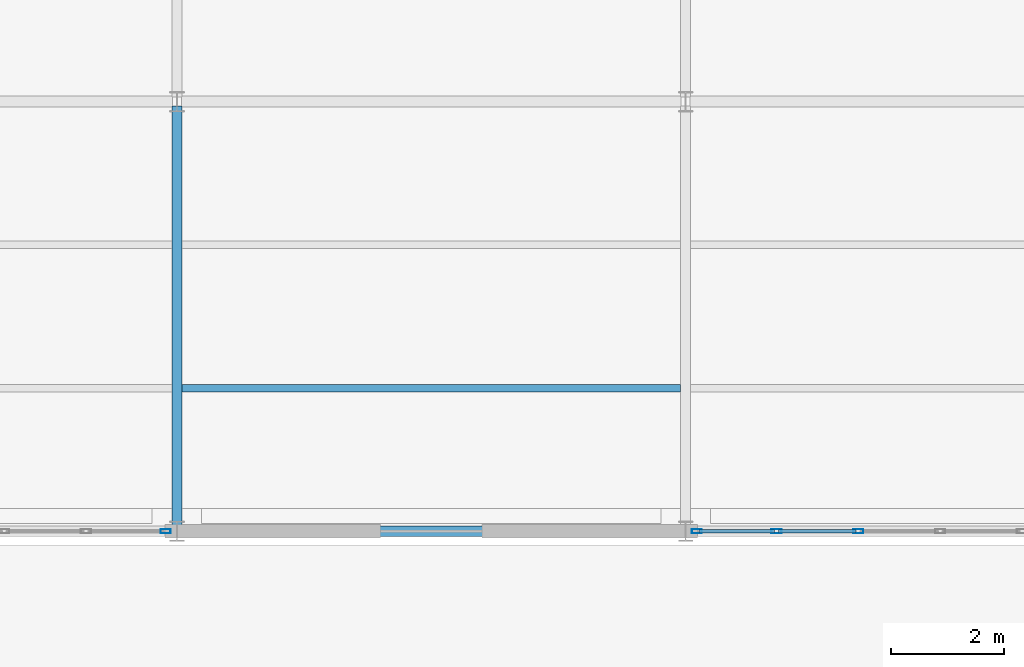
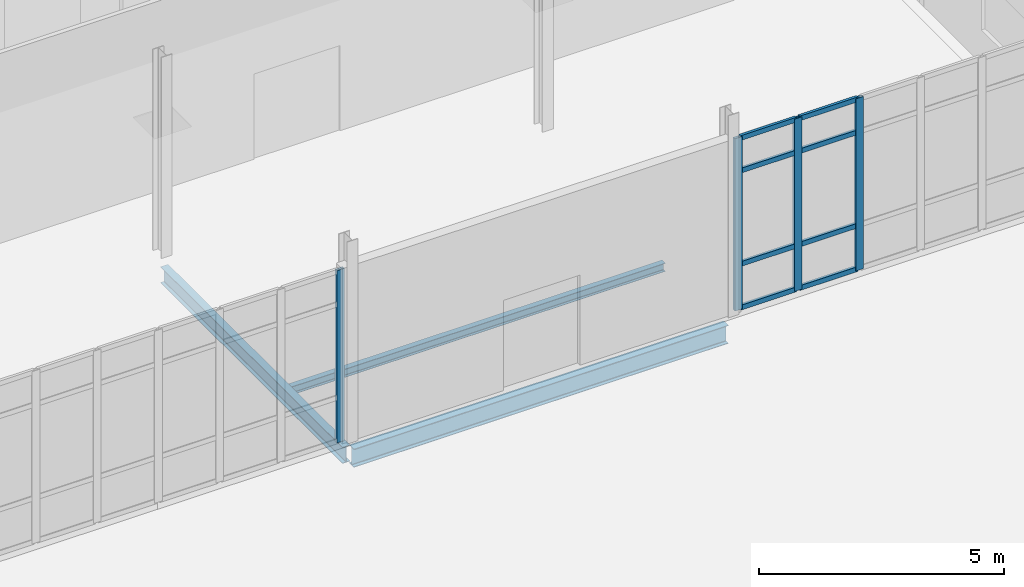
# One storey, part 80 of 161: 12 members, 3 beams, 2 elements without a shape of their own.
"""IFC4 building model written with IfcOpenShell, lengths in metres."""

import ifcopenshell
import ifcopenshell.guid

model = None  # the IFC model being written
_history = None  # IfcOwnerHistory: only IFC2X3 demands one
_inside = {}  # id of a spatial element -> (the spatial element, [elements in it])
_under = {}  # id of a project, library or spatial element -> (it, [spatial elements below it])
_declared = {}  # id of a project -> (the project, [libraries it declares])
_typed = {}  # id of a type object -> (the type object, [elements of that type])
_made_of = {}  # id of a material, layer set ... -> (it, [elements and type objects made of it])


def new_model(schema):
    """Start an empty IFC model of exactly this schema.

    Asked for "IFC4X3", IfcOpenShell would pick the latest addendum, in which some entities
    have other attributes; the version numbers below select the first issue.
    IFC2X3 requires an IfcOwnerHistory on every rooted entity: one is made here for all.
    """
    global model, _history
    if schema == "IFC4X3":
        model = ifcopenshell.file(schema_version=(4, 3, 0, 0))
    else:
        model = ifcopenshell.file(schema=schema)
    _inside.clear()
    _under.clear()
    _declared.clear()
    _typed.clear()
    _made_of.clear()
    _history = None
    if model.schema == "IFC2X3":
        org = make("IfcOrganization", Name="unknown")
        user = make(
            "IfcPersonAndOrganization",
            ThePerson=make("IfcPerson", FamilyName="unknown"),
            TheOrganization=org,
        )
        app = make(
            "IfcApplication",
            ApplicationDeveloper=org,
            Version="unknown",
            ApplicationFullName="unknown",
            ApplicationIdentifier="unknown",
        )
        _history = make(
            "IfcOwnerHistory",
            OwningUser=user,
            OwningApplication=app,
            ChangeAction="ADDED",
            CreationDate=0,
        )
    return model


def make(cls, **values):
    """One entity of the class cls with the attributes given. An attribute that is None is left unset."""
    return model.create_entity(
        cls, **{name: value for name, value in values.items() if value is not None}
    )


def rooted(cls, **values):
    """An entity with a GlobalId (a new one), such as an element, a storey or a relation."""
    return make(cls, GlobalId=ifcopenshell.guid.new(), OwnerHistory=_history, **values)


def si_unit(unit_type, name, prefix=None):
    """IfcSIUnit, for example si_unit("LENGTHUNIT", "METRE", prefix="MILLI")."""
    return make("IfcSIUnit", UnitType=unit_type, Prefix=prefix, Name=name)


def assignment(units):
    """IfcUnitAssignment: the units of a project."""
    return None if units is None else make("IfcUnitAssignment", Units=units)


def point(xyz):
    """IfcCartesianPoint."""
    return None if xyz is None else make("IfcCartesianPoint", Coordinates=xyz)


def direction(xyz):
    """IfcDirection."""
    return None if xyz is None else make("IfcDirection", DirectionRatios=xyz)


def frame(location, z_axis=None, x_axis=None):
    """IfcAxis2Placement3D, a coordinate frame: its origin and axes. An axis left out is left unset."""
    return make(
        "IfcAxis2Placement3D",
        Location=point(location),
        Axis=direction(z_axis),
        RefDirection=direction(x_axis),
    )


def frame_2d(location, x_axis=None):
    """IfcAxis2Placement2D, a coordinate frame in the plane: its origin and x axis."""
    return make(
        "IfcAxis2Placement2D", Location=point(location), RefDirection=direction(x_axis)
    )


def origin():
    """The frame at (0, 0, 0) with its axes left unset."""
    return frame((0.0, 0.0, 0.0))


def origin_2d():
    """The frame at (0, 0) in the plane with its x axis left unset."""
    return frame_2d((0.0, 0.0))


def place(relative_to, where):
    """IfcLocalPlacement: puts the frame where relative to a parent placement (None: the world)."""
    return make(
        "IfcLocalPlacement", PlacementRelTo=relative_to, RelativePlacement=where
    )


def context(
    kind, dimensions, precision=None, world=None, true_north=None, identifier=None
):
    """IfcGeometricRepresentationContext, for example the 3D "Model" context."""
    return make(
        "IfcGeometricRepresentationContext",
        ContextIdentifier=identifier,
        ContextType=kind,
        CoordinateSpaceDimension=dimensions,
        Precision=precision,
        WorldCoordinateSystem=world,
        TrueNorth=true_north,
    )


def subcontext(parent, identifier, kind, view, scale=None):
    """IfcGeometricRepresentationSubContext, for example "Body" below "Model"."""
    return make(
        "IfcGeometricRepresentationSubContext",
        ContextIdentifier=identifier,
        ContextType=kind,
        ParentContext=parent,
        TargetScale=scale,
        TargetView=view,
    )


def project(units=None, contexts=None):
    """IfcProject with its units and contexts."""
    return rooted(
        "IfcProject",
        Name="project",
        RepresentationContexts=contexts,
        UnitsInContext=assignment(units),
    )


def spatial(cls, under=None, at=None, **own):
    """A site, building, storey or space (cls), placed at a placement, below another one or the project."""
    s = rooted(cls, ObjectPlacement=at, **own)
    if under is not None:
        _under.setdefault(under.id(), (under, []))[1].append(s)
    return s


def profile(cls, at=None, kind="AREA", **sizes):
    """A parametric profile (cls). Its sizes go by their IFC names, for example OverallWidth=200.0."""
    return make(cls, ProfileType=kind, Position=at, **sizes)


def hollow_rectangle(**sizes):
    """IfcRectangleHollowProfileDef."""
    return profile("IfcRectangleHollowProfileDef", **sizes)


def i_section(**sizes):
    """IfcIShapeProfileDef."""
    return profile("IfcIShapeProfileDef", **sizes)


def extrude(swept, where, along, depth):
    """IfcExtrudedAreaSolid: the profile swept, set in the frame where, extruded along a direction by depth."""
    return make(
        "IfcExtrudedAreaSolid",
        SweptArea=swept,
        Position=where,
        ExtrudedDirection=direction(along),
        Depth=depth,
    )


def shape(context_of_items, identifier, shape_type, items):
    """IfcShapeRepresentation: the items that make up one representation, for example the "Body"."""
    return make(
        "IfcShapeRepresentation",
        ContextOfItems=context_of_items,
        RepresentationIdentifier=identifier,
        RepresentationType=shape_type,
        Items=items,
    )


def material(Name=None, Category=None):
    """IfcMaterial."""
    return make("IfcMaterial", Name=Name, Category=Category)


def material_profile(
    of_material, cross_section, Name=None, Category=None, Priority=None
):
    """IfcMaterialProfile: a cross section and its material."""
    return make(
        "IfcMaterialProfile",
        Name=Name,
        Material=of_material,
        Profile=cross_section,
        Priority=Priority,
        Category=Category,
    )


def profile_set(profiles, Name=None, composite=None):
    """IfcMaterialProfileSet."""
    return make(
        "IfcMaterialProfileSet",
        Name=Name,
        MaterialProfiles=profiles,
        CompositeProfile=composite,
    )


def made_of(thing, what):
    """Note that an element or type object is made of a material, layer set ...; save() writes the relation."""
    if what is not None:
        _made_of.setdefault(what.id(), (what, []))[1].append(thing)
    return thing


def type_object(cls, material=None, **own):
    """A type object (cls), such as IfcWallType, which elements share."""
    return made_of(rooted(cls, **own), material)


def element(
    cls,
    number,
    at=None,
    inside=None,
    cuts=None,
    type_object=None,
    material=None,
    context=None,
    identifier="Body",
    shape_type=None,
    held_by="IfcProductDefinitionShape",
    body=None,
    shapes=None,
    **own,
):
    """One element of the class cls, such as IfcWall. Its Tag is "e" and its number.

    at: its placement. inside: the storey or other place that contains it. cuts: it is an
    opening in that element (IfcRelVoidsElement). A single representation is given by context,
    identifier, shape_type and body (its items); several are given by shapes. held_by: the class
    of the entity that holds the representations. save() writes the other relations.
    """
    e = rooted(cls, Tag="e%d" % number, ObjectPlacement=at, **own)
    if body is not None:
        shapes = [shape(context, identifier, shape_type, body)]
    if shapes is not None:
        e.Representation = make(held_by, Representations=shapes)
    if inside is not None:
        _inside.setdefault(inside.id(), (inside, []))[1].append(e)
    if cuts is not None:
        rooted(
            "IfcRelVoidsElement", RelatingBuildingElement=cuts, RelatedOpeningElement=e
        )
    if type_object is not None:
        _typed.setdefault(type_object.id(), (type_object, []))[1].append(e)
    return made_of(e, material)


def aggregate(whole, parts):
    """IfcRelAggregates: a whole, such as a stair, and the parts it consists of."""
    return rooted("IfcRelAggregates", RelatingObject=whole, RelatedObjects=parts)


def save(model, path):
    """Write the relations noted so far, then the file.

    IfcRelAggregates (storeys below a building ...), IfcRelContainedInSpatialStructure (elements
    in a storey), IfcRelDefinesByType, IfcRelAssociatesMaterial and IfcRelDeclares: one each for
    every whole, place, type object, material and project.
    """
    for whole, parts in _under.values():
        aggregate(whole, parts)
    for where, things in _inside.values():
        rooted(
            "IfcRelContainedInSpatialStructure",
            RelatedElements=things,
            RelatingStructure=where,
        )
    for kind, things in _typed.values():
        rooted("IfcRelDefinesByType", RelatedObjects=things, RelatingType=kind)
    for what, things in _made_of.values():
        rooted("IfcRelAssociatesMaterial", RelatedObjects=things, RelatingMaterial=what)
    for by, libraries in _declared.values():
        rooted("IfcRelDeclares", RelatingContext=by, RelatedDefinitions=libraries)
    model.write(path)


model = new_model("IFC4")

# Units and contexts
model_context = context("Model", 3, precision=1e-05, world=origin(), true_north=direction((0.0, 1.0)))
body_context = subcontext(model_context, "Body", "Model", "MODEL_VIEW")
ifc_project = project(units=[si_unit("LENGTHUNIT", "METRE"), si_unit("AREAUNIT", "SQUARE_METRE"), si_unit("VOLUMEUNIT", "CUBIC_METRE"), si_unit("PLANEANGLEUNIT", "RADIAN"), si_unit("MASSUNIT", "GRAM", prefix="KILO")], contexts=[model_context])

# Site, building, storey
site_placement = place(None, origin())
site = spatial("IfcSite", under=ifc_project, at=site_placement, CompositionType="ELEMENT")
building_placement = place(site_placement, origin())
building = spatial("IfcBuilding", under=site, at=building_placement, Name="Caisbarro Railhouse Central Library", CompositionType="ELEMENT")
storey_placement = place(building_placement, origin())
storey = spatial("IfcBuildingStorey", under=building, at=storey_placement, Name="L00", CompositionType="ELEMENT", Elevation=0.0)

# Beams
ifc_material_1 = material(Name="Steel ASTM A572 Grade 50", Category="steel")
ifc_material_profile_1 = material_profile(ifc_material_1, i_section(OverallWidth=0.177978515625, OverallDepth=0.406982421875, WebThickness=0.0078125, FlangeThickness=0.0126953125, FilletRadius=0.01611328125, at=origin_2d()), Name="W410X60.0")
ifc_profile_set_1 = profile_set([ifc_material_profile_1], Name="Steel ASTM A572 Grade 50")
beam_type_1 = type_object("IfcBeamType", Name="BM-G10", PredefinedType="BEAM", material=ifc_profile_set_1)
beam_1_placement = place(storey_placement, frame((81.0, 83.679931640625, -0.45361328125), z_axis=(0.0, 1.0, 0.0), x_axis=(-1.0, 0.0, 0.0)))
element("IfcBeam", 1, at=beam_1_placement, inside=storey, type_object=beam_type_1, Name="G10 beam L00 #642", PredefinedType="BEAM", context=body_context, shape_type="SweptSolid", body=[
    extrude(i_section(OverallWidth=0.177978515625, OverallDepth=0.406982421875, WebThickness=0.0078125, FlangeThickness=0.0126953125, FilletRadius=0.01611328125, at=origin_2d()), origin(), (0.0, 0.0, 1.0), 7.440185546875),
])
ifc_material_profile_2 = material_profile(ifc_material_1, i_section(OverallWidth=0.133056640625, OverallDepth=0.20703125, WebThickness=0.005859375, FlangeThickness=0.00830078125, FilletRadius=0.010009765625, at=origin_2d()), Name="W200X26.6")
ifc_profile_set_2 = profile_set([ifc_material_profile_2], Name="Steel ASTM A572 Grade 50")
beam_type_2 = type_object("IfcBeamType", Name="BM-J07", PredefinedType="JOIST", material=ifc_profile_set_2)
beam_2_placement = place(storey_placement, frame((81.089111328125, 86.13330078125, -0.353515625), z_axis=(1.0, 0.0, 0.0), x_axis=(0.0, 1.0, 0.0)))
element("IfcBeam", 2, at=beam_2_placement, inside=storey, type_object=beam_type_2, Name="J07 beam L00 #669", PredefinedType="JOIST", context=body_context, shape_type="SweptSolid", body=[
    extrude(i_section(OverallWidth=0.133056640625, OverallDepth=0.20703125, WebThickness=0.005859375, FlangeThickness=0.00830078125, FilletRadius=0.010009765625, at=origin_2d()), origin(), (0.0, 0.0, 1.0), 8.82177734375),
])
ifc_material_profile_3 = material_profile(ifc_material_1, i_section(OverallWidth=0.18994140625, OverallDepth=0.45703125, WebThickness=0.009033203125, FlangeThickness=0.014404296875, FilletRadius=0.01806640625, at=origin_2d()), Name="W460X74.0")
ifc_profile_set_3 = profile_set([ifc_material_profile_3], Name="Steel ASTM A572 Grade 50")
beam_type_3 = type_object("IfcBeamType", Name="BM-SP01", PredefinedType="SPANDREL", material=ifc_profile_set_3)
beam_3_placement = place(storey_placement, frame((81.080078125, 83.60009765625, -0.478515625), z_axis=(1.0, 0.0, 0.0), x_axis=(0.0, 1.0, 0.0)))
element("IfcBeam", 3, at=beam_3_placement, inside=storey, type_object=beam_type_3, Name="SP01 beam L00 #616", PredefinedType="SPANDREL", context=body_context, shape_type="SweptSolid", body=[
    extrude(i_section(OverallWidth=0.18994140625, OverallDepth=0.45703125, WebThickness=0.009033203125, FlangeThickness=0.014404296875, FilletRadius=0.01806640625, at=origin_2d()), origin(), (0.0, 0.0, 1.0), 8.83984375),
])

# Curtain wall, member
ifc_material_2 = material(Name="Anodised architectural aluminium", Category="aluminium")
curtain_wall_type = type_object("IfcCurtainWallType", Name="CW-CW02", PredefinedType="NOTDEFINED", material=ifc_material_2)
curtain_wall_1_placement = place(storey_placement, origin())
curtain_wall_1 = element("IfcCurtainWall", 4, at=curtain_wall_1_placement, inside=storey, type_object=curtain_wall_type, Name="CW02 curtain wall L00 #168", PredefinedType="NOTDEFINED")
ifc_material_profile_4 = material_profile(ifc_material_2, hollow_rectangle(XDim=0.074951171875, YDim=0.179931640625, WallThickness=0.00439453125, at=origin_2d()), Name="ALU-MUL-75X180")
ifc_profile_set_4 = profile_set([ifc_material_profile_4], Name="Anodised architectural aluminium")
member_type_1 = type_object("IfcMemberType", Name="CWM-M01", PredefinedType="MULLION", material=ifc_profile_set_4)
member_1_placement = place(storey_placement, frame((80.802490234375, 83.60009765625, 0.0), z_axis=(0.0, 0.0, 1.0), x_axis=(0.0, 1.0, 0.0)))
member_1 = element("IfcMember", 5, at=member_1_placement, type_object=member_type_1, Name="CW02 mullion 7", PredefinedType="MULLION", context=body_context, shape_type="SweptSolid", body=[
    extrude(hollow_rectangle(XDim=0.074951171875, YDim=0.179931640625, WallThickness=0.00439453125, at=origin_2d()), origin(), (0.0, 0.0, 1.0), 4.300048828125),
])
aggregate(curtain_wall_1, [member_1])

# Curtain wall, members
curtain_wall_2_placement = place(storey_placement, origin())
curtain_wall_2 = element("IfcCurtainWall", 6, at=curtain_wall_2_placement, inside=storey, type_object=curtain_wall_type, Name="CW02 curtain wall L00 #170", PredefinedType="NOTDEFINED")
member_2_placement = place(storey_placement, frame((90.197509765625, 83.60009765625, 0.0), z_axis=(0.0, 0.0, 1.0), x_axis=(0.0, 1.0, 0.0)))
member_2 = element("IfcMember", 7, at=member_2_placement, type_object=member_type_1, Name="CW02 mullion 1", PredefinedType="MULLION", context=body_context, shape_type="SweptSolid", body=[
    extrude(hollow_rectangle(XDim=0.074951171875, YDim=0.179931640625, WallThickness=0.00439453125, at=origin_2d()), origin(), (0.0, 0.0, 1.0), 4.300048828125),
])
member_3_placement = place(storey_placement, frame((91.606689453125, 83.60009765625, 0.0), z_axis=(0.0, 0.0, 1.0), x_axis=(0.0, 1.0, 0.0)))
member_3 = element("IfcMember", 8, at=member_3_placement, type_object=member_type_1, Name="CW02 mullion 2", PredefinedType="MULLION", context=body_context, shape_type="SweptSolid", body=[
    extrude(hollow_rectangle(XDim=0.074951171875, YDim=0.179931640625, WallThickness=0.00439453125, at=origin_2d()), origin(), (0.0, 0.0, 1.0), 4.300048828125),
])
member_4_placement = place(storey_placement, frame((93.05322265625, 83.60009765625, 0.0), z_axis=(0.0, 0.0, 1.0), x_axis=(0.0, 1.0, 0.0)))
member_4 = element("IfcMember", 9, at=member_4_placement, type_object=member_type_1, Name="CW02 mullion 3", PredefinedType="MULLION", context=body_context, shape_type="SweptSolid", body=[
    extrude(hollow_rectangle(XDim=0.074951171875, YDim=0.179931640625, WallThickness=0.00439453125, at=origin_2d()), origin(), (0.0, 0.0, 1.0), 4.300048828125),
])
ifc_material_profile_5 = material_profile(ifc_material_2, hollow_rectangle(XDim=0.06494140625, YDim=0.1201171875, WallThickness=0.00341796875, at=origin_2d()), Name="ALU-TRN-65X120")
ifc_profile_set_5 = profile_set([ifc_material_profile_5], Name="Anodised architectural aluminium")
member_type_2 = type_object("IfcMemberType", Name="CWT-T02", PredefinedType="USERDEFINED", material=ifc_profile_set_5)
member_5_placement = place(storey_placement, frame((90.235107421875, 83.60009765625, 0.032470703125), z_axis=(1.0, 0.0, 0.0), x_axis=(0.0, 1.0, 0.0)))
member_5 = element("IfcMember", 10, at=member_5_placement, type_object=member_type_2, Name="CW02 transom 1.1", ObjectType="TRANSOM", PredefinedType="USERDEFINED", context=body_context, shape_type="SweptSolid", body=[
    extrude(hollow_rectangle(XDim=0.06494140625, YDim=0.1201171875, WallThickness=0.00341796875, at=origin_2d()), origin(), (0.0, 0.0, 1.0), 1.333984375),
])
member_6_placement = place(storey_placement, frame((90.235107421875, 83.60009765625, 1.1201171875), z_axis=(1.0, 0.0, 0.0), x_axis=(0.0, 1.0, 0.0)))
member_6 = element("IfcMember", 11, at=member_6_placement, type_object=member_type_2, Name="CW02 transom 1.2", ObjectType="TRANSOM", PredefinedType="USERDEFINED", context=body_context, shape_type="SweptSolid", body=[
    extrude(hollow_rectangle(XDim=0.06494140625, YDim=0.1201171875, WallThickness=0.00341796875, at=origin_2d()), origin(), (0.0, 0.0, 1.0), 1.333984375),
])
member_7_placement = place(storey_placement, frame((90.235107421875, 83.60009765625, 3.449951171875), z_axis=(1.0, 0.0, 0.0), x_axis=(0.0, 1.0, 0.0)))
member_7 = element("IfcMember", 12, at=member_7_placement, type_object=member_type_2, Name="CW02 transom 1.3", ObjectType="TRANSOM", PredefinedType="USERDEFINED", context=body_context, shape_type="SweptSolid", body=[
    extrude(hollow_rectangle(XDim=0.06494140625, YDim=0.1201171875, WallThickness=0.00341796875, at=origin_2d()), origin(), (0.0, 0.0, 1.0), 1.333984375),
])
member_8_placement = place(storey_placement, frame((90.235107421875, 83.60009765625, 4.267578125), z_axis=(1.0, 0.0, 0.0), x_axis=(0.0, 1.0, 0.0)))
member_8 = element("IfcMember", 13, at=member_8_placement, type_object=member_type_2, Name="CW02 transom 1.4", ObjectType="TRANSOM", PredefinedType="USERDEFINED", context=body_context, shape_type="SweptSolid", body=[
    extrude(hollow_rectangle(XDim=0.06494140625, YDim=0.1201171875, WallThickness=0.00341796875, at=origin_2d()), origin(), (0.0, 0.0, 1.0), 1.333984375),
])
member_9_placement = place(storey_placement, frame((91.644287109375, 83.60009765625, 0.032470703125), z_axis=(1.0, 0.0, 0.0), x_axis=(0.0, 1.0, 0.0)))
member_9 = element("IfcMember", 14, at=member_9_placement, type_object=member_type_2, Name="CW02 transom 2.1", ObjectType="TRANSOM", PredefinedType="USERDEFINED", context=body_context, shape_type="SweptSolid", body=[
    extrude(hollow_rectangle(XDim=0.06494140625, YDim=0.1201171875, WallThickness=0.00341796875, at=origin_2d()), origin(), (0.0, 0.0, 1.0), 1.37158203125),
])
member_10_placement = place(storey_placement, frame((91.644287109375, 83.60009765625, 1.1201171875), z_axis=(1.0, 0.0, 0.0), x_axis=(0.0, 1.0, 0.0)))
member_10 = element("IfcMember", 15, at=member_10_placement, type_object=member_type_2, Name="CW02 transom 2.2", ObjectType="TRANSOM", PredefinedType="USERDEFINED", context=body_context, shape_type="SweptSolid", body=[
    extrude(hollow_rectangle(XDim=0.06494140625, YDim=0.1201171875, WallThickness=0.00341796875, at=origin_2d()), origin(), (0.0, 0.0, 1.0), 1.37158203125),
])
member_11_placement = place(storey_placement, frame((91.644287109375, 83.60009765625, 3.449951171875), z_axis=(1.0, 0.0, 0.0), x_axis=(0.0, 1.0, 0.0)))
member_11 = element("IfcMember", 16, at=member_11_placement, type_object=member_type_2, Name="CW02 transom 2.3", ObjectType="TRANSOM", PredefinedType="USERDEFINED", context=body_context, shape_type="SweptSolid", body=[
    extrude(hollow_rectangle(XDim=0.06494140625, YDim=0.1201171875, WallThickness=0.00341796875, at=origin_2d()), origin(), (0.0, 0.0, 1.0), 1.37158203125),
])
member_12_placement = place(storey_placement, frame((91.644287109375, 83.60009765625, 4.267578125), z_axis=(1.0, 0.0, 0.0), x_axis=(0.0, 1.0, 0.0)))
member_12 = element("IfcMember", 17, at=member_12_placement, type_object=member_type_2, Name="CW02 transom 2.4", ObjectType="TRANSOM", PredefinedType="USERDEFINED", context=body_context, shape_type="SweptSolid", body=[
    extrude(hollow_rectangle(XDim=0.06494140625, YDim=0.1201171875, WallThickness=0.00341796875, at=origin_2d()), origin(), (0.0, 0.0, 1.0), 1.37158203125),
])
aggregate(curtain_wall_2, [member_2, member_3, member_4, member_5, member_6, member_7, member_8, member_9, member_10, member_11, member_12])

save(model, "model.ifc")
